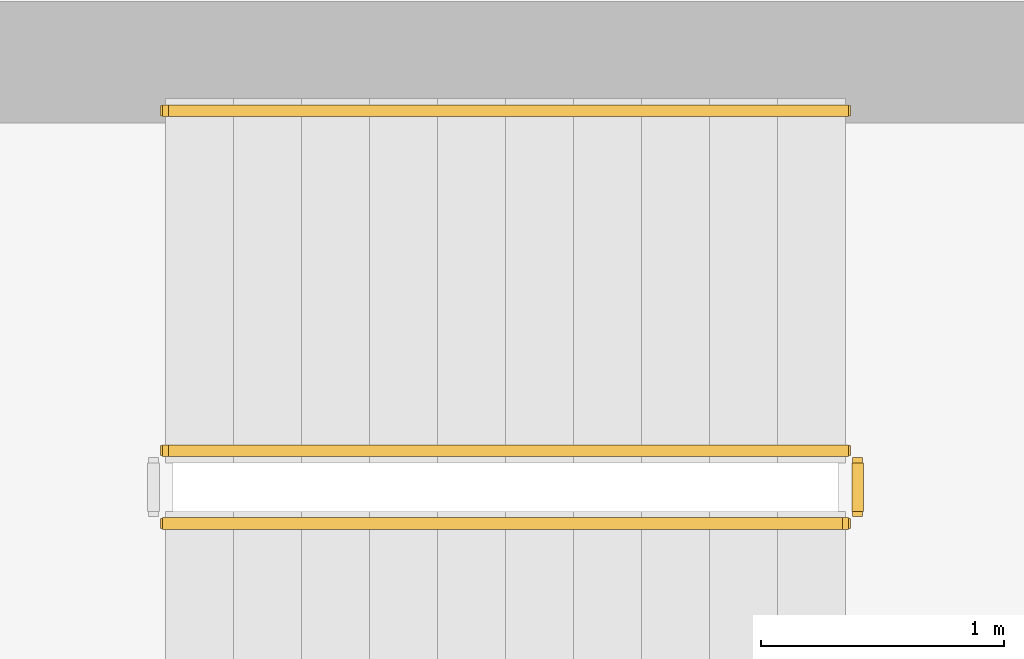
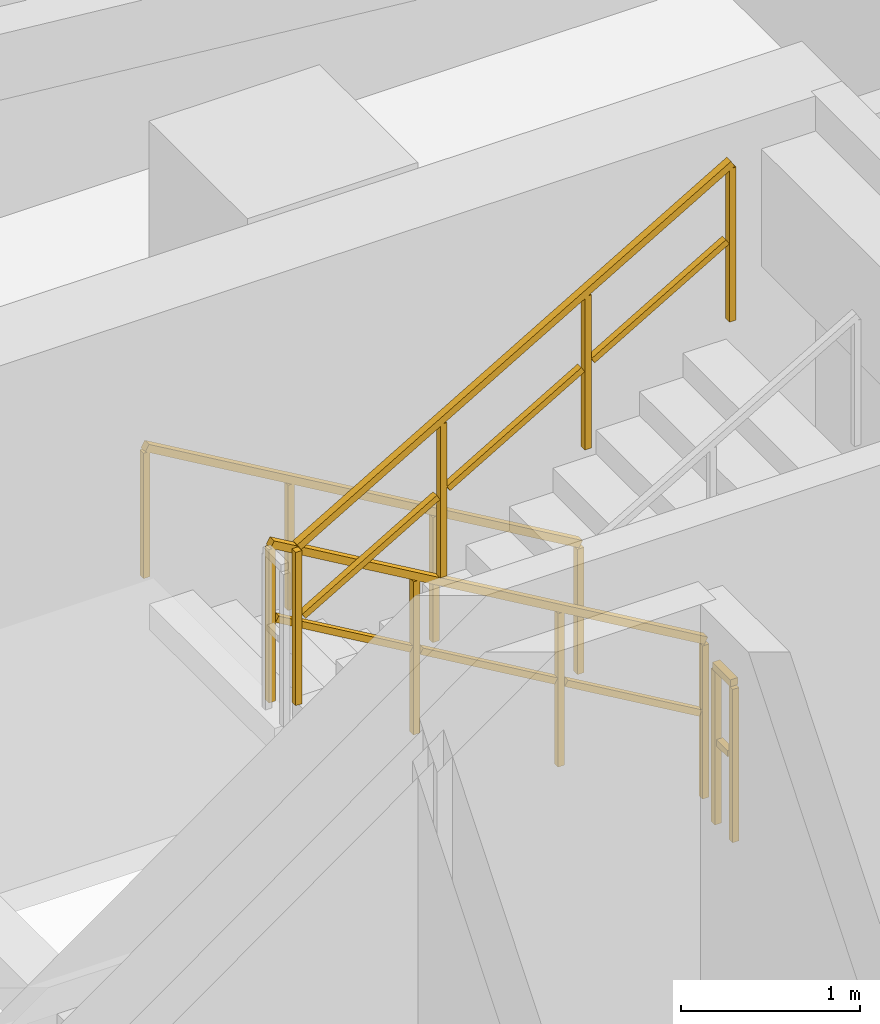
# One storey, part 31 of 33: 4 railings.
"""IFC4 building model written with IfcOpenShell, lengths in metres."""

from ifc_helpers import new_model, si_unit, direction, frame, origin, origin_2d, place, context, subcontext, project, spatial, rectangle, extrude, material, type_object, element, save


model = new_model("IFC4")

# Units and contexts
model_context = context("Model", 3, precision=1e-05, world=origin(), true_north=direction((0.0, 1.0)))
body_context = subcontext(model_context, "Body", "Model", "MODEL_VIEW")
ifc_project = project(units=[si_unit("LENGTHUNIT", "METRE"), si_unit("AREAUNIT", "SQUARE_METRE"), si_unit("VOLUMEUNIT", "CUBIC_METRE"), si_unit("PLANEANGLEUNIT", "RADIAN"), si_unit("MASSUNIT", "GRAM", prefix="KILO")], contexts=[model_context])

# Site, building, storey
site_placement = place(None, origin())
site = spatial("IfcSite", under=ifc_project, at=site_placement, CompositionType="ELEMENT")
building_placement = place(site_placement, origin())
building = spatial("IfcBuilding", under=site, at=building_placement, Name="Thornwick Lancets Civic Towers", CompositionType="ELEMENT")
storey_placement = place(building_placement, frame((0.0, 0.0, 163.5)))
storey = spatial("IfcBuildingStorey", under=building, at=storey_placement, Name="L43", CompositionType="ELEMENT", Elevation=163.5)

# Railings
ifc_material_1 = material(Name="Brushed stainless steel S355", Category="steel")
railing_type_1 = type_object("IfcRailingType", Name="RAIL_HANDRAIL", PredefinedType="HANDRAIL", material=ifc_material_1)
railing_1_placement = place(storey_placement, frame((31.60009765625, 38.949951171875, 0.16357421875)))
element("IfcRailing", 1, at=railing_1_placement, inside=storey, type_object=railing_type_1, Name="L43 ST-A2 stair handrail 1", PredefinedType="HANDRAIL", context=body_context, shape_type="SweptSolid", body=[
    extrude(rectangle(XDim=0.048095703125, YDim=0.048095703125, at=origin_2d()), frame((0.0, 0.0, 0.8857421875), z_axis=(-0.863360870873, 0.0, 0.504586966384), x_axis=(0.0, -1.0, 0.0)), (0.0, 0.0, 1.0), 3.2431640625),
    extrude(rectangle(XDim=0.0419921875, YDim=0.0419921875, at=origin_2d()), origin(), (0.0, 0.0, 1.0), 0.855712890625),
    extrude(rectangle(XDim=0.0419921875, YDim=0.0419921875, at=origin_2d()), frame((-0.933349609375, 0.0, 0.54541015625)), (0.0, 0.0, 1.0), 0.855712890625),
    extrude(rectangle(XDim=0.0419921875, YDim=0.0419921875, at=origin_2d()), frame((-1.86669921875, 0.0, 1.091064453125)), (0.0, 0.0, 1.0), 0.855712890625),
    extrude(rectangle(XDim=0.0419921875, YDim=0.0419921875, at=origin_2d()), frame((-2.800048828125, 0.0, 1.636474609375)), (0.0, 0.0, 1.0), 0.855712890625),
])
ifc_material_2 = material(Name="Steel S355JR", Category="steel")
railing_type_2 = type_object("IfcRailingType", Name="RAIL_STAIR_GUARD", PredefinedType="GUARDRAIL", material=ifc_material_2)
railing_2_placement = place(storey_placement, frame((31.60009765625, 37.550048828125, 0.16357421875)))
element("IfcRailing", 2, at=railing_2_placement, inside=storey, type_object=railing_type_2, Name="L43 ST-A2 stair guard 1", PredefinedType="GUARDRAIL", context=body_context, shape_type="SweptSolid", body=[
    extrude(rectangle(XDim=0.048095703125, YDim=0.048095703125, at=origin_2d()), frame((0.0, 0.0, 1.076171875), z_axis=(-0.863360870873, 0.0, 0.504586966384), x_axis=(0.0, -1.0, 0.0)), (0.0, 0.0, 1.0), 3.2431640625),
    extrude(rectangle(XDim=0.0419921875, YDim=0.0419921875, at=origin_2d()), frame((-0.032470703125, 0.0, 0.591064453125), z_axis=(-0.863360870873, 0.0, 0.504586966384), x_axis=(0.0, -1.0, 0.0)), (0.0, 0.0, 1.0), 1.006103515625),
    extrude(rectangle(XDim=0.0419921875, YDim=0.0419921875, at=origin_2d()), frame((-0.9658203125, 0.0, 1.136474609375), z_axis=(-0.863360870873, 0.0, 0.504586966384), x_axis=(0.0, -1.0, 0.0)), (0.0, 0.0, 1.0), 1.006103515625),
    extrude(rectangle(XDim=0.0419921875, YDim=0.0419921875, at=origin_2d()), frame((-1.899169921875, 0.0, 1.681884765625), z_axis=(-0.863360870873, 0.0, 0.504586966384), x_axis=(0.0, -1.0, 0.0)), (0.0, 0.0, 1.0), 1.006103515625),
    extrude(rectangle(XDim=0.0419921875, YDim=0.0419921875, at=origin_2d()), origin(), (0.0, 0.0, 1.0), 1.0458984375),
    extrude(rectangle(XDim=0.0419921875, YDim=0.0419921875, at=origin_2d()), frame((-0.933349609375, 0.0, 0.54541015625)), (0.0, 0.0, 1.0), 1.0458984375),
    extrude(rectangle(XDim=0.0419921875, YDim=0.0419921875, at=origin_2d()), frame((-1.86669921875, 0.0, 1.091064453125)), (0.0, 0.0, 1.0), 1.0458984375),
    extrude(rectangle(XDim=0.0419921875, YDim=0.0419921875, at=origin_2d()), frame((-2.800048828125, 0.0, 1.636474609375)), (0.0, 0.0, 1.0), 1.0458984375),
])
railing_3_placement = place(storey_placement, frame((28.800048828125, 37.25, 1.963623046875)))
element("IfcRailing", 3, at=railing_3_placement, inside=storey, type_object=railing_type_2, Name="L43 ST-A2 stair guard 3", PredefinedType="GUARDRAIL", context=body_context, shape_type="SweptSolid", body=[
    extrude(rectangle(XDim=0.048095703125, YDim=0.048095703125, at=origin_2d()), frame((0.0, 0.0, 1.076171875), z_axis=(0.863360870873, 0.0, 0.504586966384), x_axis=(0.0, 1.0, 0.0)), (0.0, 0.0, 1.0), 3.2431640625),
    extrude(rectangle(XDim=0.0419921875, YDim=0.0419921875, at=origin_2d()), frame((0.032470703125, 0.0, 0.591064453125), z_axis=(0.863360870873, 0.0, 0.504586966384), x_axis=(0.0, 1.0, 0.0)), (0.0, 0.0, 1.0), 1.006103515625),
    extrude(rectangle(XDim=0.0419921875, YDim=0.0419921875, at=origin_2d()), frame((0.9658203125, 0.0, 1.136474609375), z_axis=(0.863360870873, 0.0, 0.504586966384), x_axis=(0.0, 1.0, 0.0)), (0.0, 0.0, 1.0), 1.006103515625),
    extrude(rectangle(XDim=0.0419921875, YDim=0.0419921875, at=origin_2d()), frame((1.899169921875, 0.0, 1.681884765625), z_axis=(0.863360870873, 0.0, 0.504586966384), x_axis=(0.0, 1.0, 0.0)), (0.0, 0.0, 1.0), 1.006103515625),
    extrude(rectangle(XDim=0.0419921875, YDim=0.0419921875, at=origin_2d()), origin(), (0.0, 0.0, 1.0), 1.0458984375),
    extrude(rectangle(XDim=0.0419921875, YDim=0.0419921875, at=origin_2d()), frame((0.933349609375, 0.0, 0.54541015625)), (0.0, 0.0, 1.0), 1.0458984375),
    extrude(rectangle(XDim=0.0419921875, YDim=0.0419921875, at=origin_2d()), frame((1.86669921875, 0.0, 1.091064453125)), (0.0, 0.0, 1.0), 1.0458984375),
    extrude(rectangle(XDim=0.0419921875, YDim=0.0419921875, at=origin_2d()), frame((2.800048828125, 0.0, 1.636474609375)), (0.0, 0.0, 1.0), 1.0458984375),
])
railing_4_placement = place(storey_placement, frame((31.64990234375, 37.5, 0.0)))
element("IfcRailing", 4, at=railing_4_placement, inside=storey, type_object=railing_type_2, Name="L43 ST-A2 stair guard 4", PredefinedType="GUARDRAIL", context=body_context, shape_type="SweptSolid", body=[
    extrude(rectangle(XDim=0.048095703125, YDim=0.048095703125, at=origin_2d()), frame((0.0, 0.0, 1.076171875), z_axis=(0.0, -1.0, 0.0), x_axis=(1.0, 0.0, 0.0)), (0.0, 0.0, 1.0), 0.199951171875),
    extrude(rectangle(XDim=0.0419921875, YDim=0.0419921875, at=origin_2d()), frame((0.0, -0.03759765625, 0.572021484375), z_axis=(0.0, -1.0, 0.0), x_axis=(1.0, 0.0, 0.0)), (0.0, 0.0, 1.0), 0.125),
    extrude(rectangle(XDim=0.0419921875, YDim=0.0419921875, at=origin_2d()), origin(), (0.0, 0.0, 1.0), 1.0458984375),
    extrude(rectangle(XDim=0.0419921875, YDim=0.0419921875, at=origin_2d()), frame((0.0, -0.199951171875, 0.0)), (0.0, 0.0, 1.0), 1.0458984375),
])

save(model, "model.ifc")
